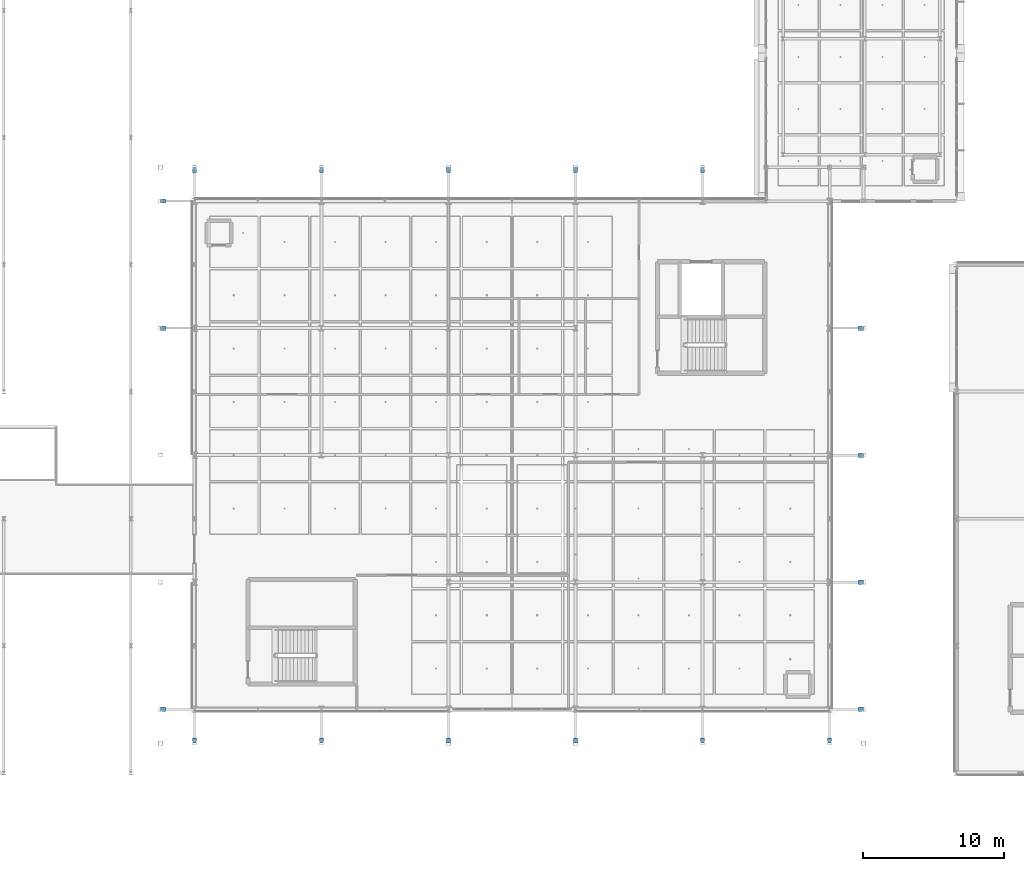
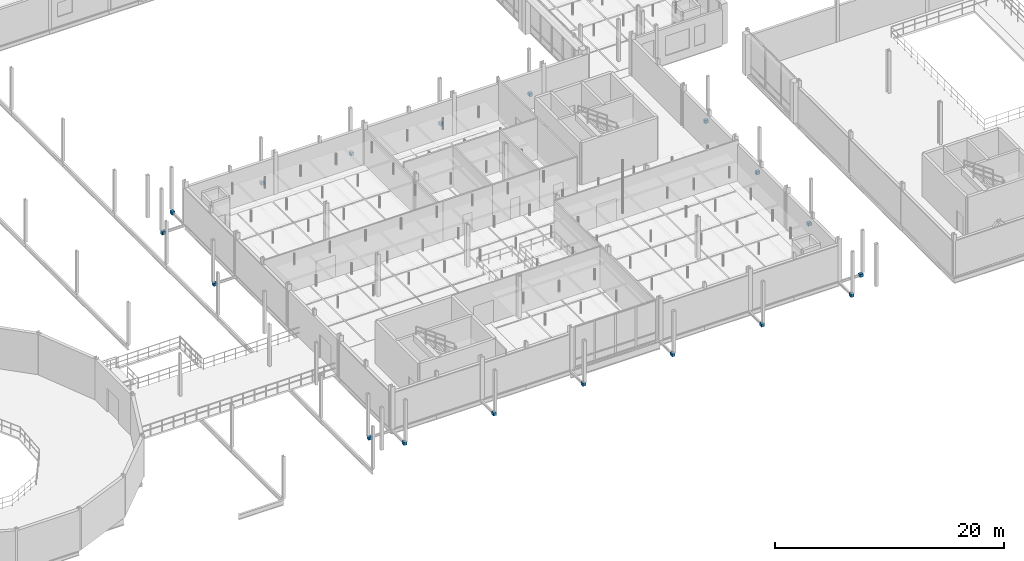
# One storey, part 117 of 130: 18 discrete accessories.
"""IFC4 building model written with IfcOpenShell, lengths in metres."""

from ifc_helpers import new_model, si_unit, direction, frame, origin, origin_2d, place, context, subcontext, project, spatial, rectangle, extrude, material, type_object, element, save


model = new_model("IFC4")

# Units and contexts
model_context = context("Model", 3, precision=1e-05, world=origin(), true_north=direction((0.0, 1.0)))
body_context = subcontext(model_context, "Body", "Model", "MODEL_VIEW")
ifc_project = project(units=[si_unit("LENGTHUNIT", "METRE"), si_unit("AREAUNIT", "SQUARE_METRE"), si_unit("VOLUMEUNIT", "CUBIC_METRE"), si_unit("PLANEANGLEUNIT", "RADIAN"), si_unit("MASSUNIT", "GRAM", prefix="KILO"), si_unit("THERMODYNAMICTEMPERATUREUNIT", "KELVIN"), si_unit("POWERUNIT", "WATT")], contexts=[model_context])

# Site, building, storey
site_placement = place(None, origin())
site = spatial("IfcSite", under=ifc_project, at=site_placement, CompositionType="ELEMENT")
building_placement = place(site_placement, origin())
building = spatial("IfcBuilding", under=site, at=building_placement, Name="Tallowbark Science Centre", CompositionType="ELEMENT")
storey_placement = place(building_placement, frame((0.0, 0.0, 5.39990234375)))
storey = spatial("IfcBuildingStorey", under=building, at=storey_placement, Name="L01", CompositionType="ELEMENT", Elevation=5.39990234375)

# Discrete accessories
ifc_material = material(Name="White Architectural Painted Steel Grade C350L0 (350 MPa)", Category="steel")
discrete_accessory_type = type_object("IfcDiscreteAccessoryType", Name="ACC-BRK-OUT", PredefinedType="BRACKET", material=ifc_material)
for number, where, z_axis, x_axis, name in (
    (1, (58.5, 2.280029296875, -0.41015625), (0.0, 0.0, 1.0), (1.0, 0.0, 0.0), "Outrigger Gusset Bracket S-1"),
    (2, (58.5, 42.719970703125, -0.41015625), (0.0, 0.0, 1.0), (1.0, 0.0, 0.0), "Outrigger Gusset Bracket N-2"),
    (3, (67.5, 2.280029296875, -0.41015625), (0.0, 0.0, 1.0), (1.0, 0.0, 0.0), "Outrigger Gusset Bracket S-3"),
    (4, (67.5, 42.719970703125, -0.41015625), (0.0, 0.0, 1.0), (1.0, 0.0, 0.0), "Outrigger Gusset Bracket N-4"),
    (5, (76.5, 2.280029296875, -0.41015625), (0.0, 0.0, 1.0), (1.0, 0.0, 0.0), "Outrigger Gusset Bracket S-5"),
    (6, (76.5, 42.719970703125, -0.41015625), (0.0, 0.0, 1.0), (1.0, 0.0, 0.0), "Outrigger Gusset Bracket N-6"),
    (7, (85.5, 2.280029296875, -0.41015625), (0.0, 0.0, 1.0), (1.0, 0.0, 0.0), "Outrigger Gusset Bracket S-7"),
    (8, (85.5, 42.719970703125, -0.41015625), (0.0, 0.0, 1.0), (1.0, 0.0, 0.0), "Outrigger Gusset Bracket N-8"),
    (9, (94.5, 2.280029296875, -0.41015625), (0.0, 0.0, 1.0), (1.0, 0.0, 0.0), "Outrigger Gusset Bracket S-9"),
    (10, (94.5, 42.719970703125, -0.41015625), (0.0, 0.0, 1.0), (1.0, 0.0, 0.0), "Outrigger Gusset Bracket N-10"),
    (11, (103.5, 2.280029296875, -0.41015625), (0.0, 0.0, 1.0), (1.0, 0.0, 0.0), "Outrigger Gusset Bracket S-11"),
):
    element("IfcDiscreteAccessory", number, at=place(storey_placement, frame(where, z_axis=z_axis, x_axis=x_axis)), inside=storey, type_object=discrete_accessory_type, Name=name, PredefinedType="BRACKET", context=body_context, shape_type="SweptSolid", body=[
        extrude(rectangle(XDim=0.300048828125, YDim=0.35009765625, at=origin_2d()), origin(), (0.0, 0.0, 1.0), 0.320068359375),
    ])
for number, where, z_axis, x_axis, name in (
    (12, (56.280029296875, 4.5, -0.41015625), (0.0, 0.0, 1.0), (1.0, 0.0, 0.0), "Outrigger Gusset Bracket W-12"),
    (13, (105.719970703125, 4.5, -0.41015625), (0.0, 0.0, 1.0), (1.0, 0.0, 0.0), "Outrigger Gusset Bracket E-13"),
    (14, (105.719970703125, 13.5, -0.41015625), (0.0, 0.0, 1.0), (1.0, 0.0, 0.0), "Outrigger Gusset Bracket E-14"),
    (15, (105.719970703125, 22.5, -0.41015625), (0.0, 0.0, 1.0), (1.0, 0.0, 0.0), "Outrigger Gusset Bracket E-15"),
    (16, (56.280029296875, 31.5, -0.41015625), (0.0, 0.0, 1.0), (1.0, 0.0, 0.0), "Outrigger Gusset Bracket W-16"),
    (17, (105.719970703125, 31.5, -0.41015625), (0.0, 0.0, 1.0), (1.0, 0.0, 0.0), "Outrigger Gusset Bracket E-17"),
    (18, (56.280029296875, 40.5, -0.41015625), (0.0, 0.0, 1.0), (1.0, 0.0, 0.0), "Outrigger Gusset Bracket W-18"),
):
    element("IfcDiscreteAccessory", number, at=place(storey_placement, frame(where, z_axis=z_axis, x_axis=x_axis)), inside=storey, type_object=discrete_accessory_type, Name=name, PredefinedType="BRACKET", context=body_context, shape_type="SweptSolid", body=[
        extrude(rectangle(XDim=0.35009765625, YDim=0.300048828125, at=origin_2d()), origin(), (0.0, 0.0, 1.0), 0.320068359375),
    ])

save(model, "model.ifc")
